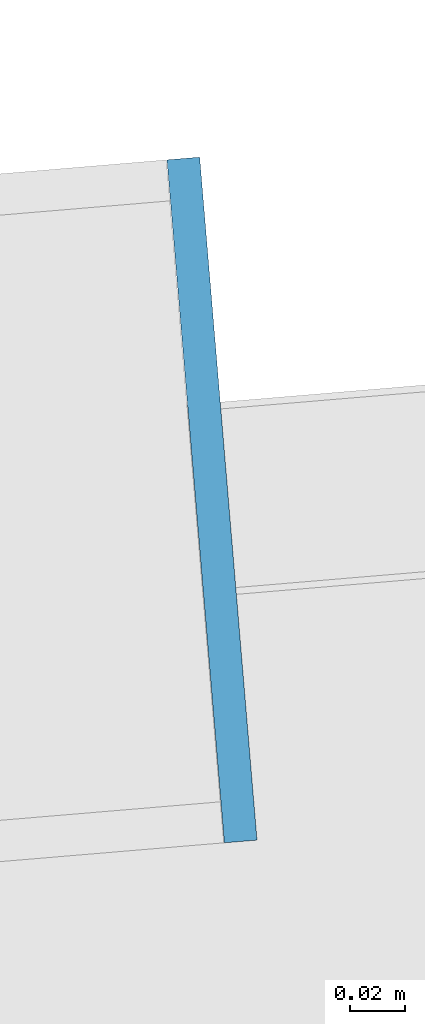
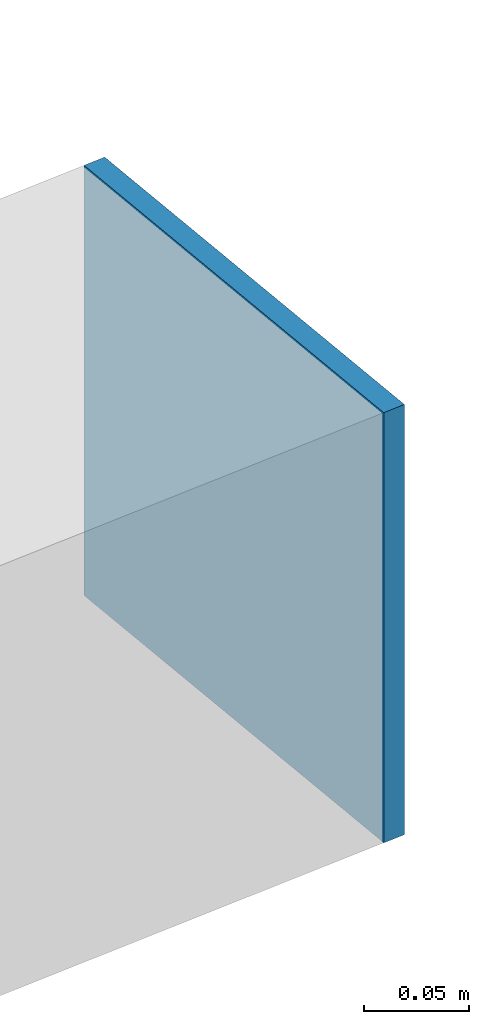
# One storey, part 34 of 39: 1 plate.
"""IFC4 building model written with IfcOpenShell, lengths in metres."""

import ifcopenshell
import ifcopenshell.guid

model = None  # the IFC model being written
_history = None  # IfcOwnerHistory: only IFC2X3 demands one
_inside = {}  # id of a spatial element -> (the spatial element, [elements in it])
_under = {}  # id of a project, library or spatial element -> (it, [spatial elements below it])
_declared = {}  # id of a project -> (the project, [libraries it declares])
_typed = {}  # id of a type object -> (the type object, [elements of that type])
_made_of = {}  # id of a material, layer set ... -> (it, [elements and type objects made of it])


def new_model(schema):
    """Start an empty IFC model of exactly this schema.

    Asked for "IFC4X3", IfcOpenShell would pick the latest addendum, in which some entities
    have other attributes; the version numbers below select the first issue.
    IFC2X3 requires an IfcOwnerHistory on every rooted entity: one is made here for all.
    """
    global model, _history
    if schema == "IFC4X3":
        model = ifcopenshell.file(schema_version=(4, 3, 0, 0))
    else:
        model = ifcopenshell.file(schema=schema)
    _inside.clear()
    _under.clear()
    _declared.clear()
    _typed.clear()
    _made_of.clear()
    _history = None
    if model.schema == "IFC2X3":
        org = make("IfcOrganization", Name="unknown")
        user = make(
            "IfcPersonAndOrganization",
            ThePerson=make("IfcPerson", FamilyName="unknown"),
            TheOrganization=org,
        )
        app = make(
            "IfcApplication",
            ApplicationDeveloper=org,
            Version="unknown",
            ApplicationFullName="unknown",
            ApplicationIdentifier="unknown",
        )
        _history = make(
            "IfcOwnerHistory",
            OwningUser=user,
            OwningApplication=app,
            ChangeAction="ADDED",
            CreationDate=0,
        )
    return model


def make(cls, **values):
    """One entity of the class cls with the attributes given. An attribute that is None is left unset."""
    return model.create_entity(
        cls, **{name: value for name, value in values.items() if value is not None}
    )


def rooted(cls, **values):
    """An entity with a GlobalId (a new one), such as an element, a storey or a relation."""
    return make(cls, GlobalId=ifcopenshell.guid.new(), OwnerHistory=_history, **values)


def si_unit(unit_type, name, prefix=None):
    """IfcSIUnit, for example si_unit("LENGTHUNIT", "METRE", prefix="MILLI")."""
    return make("IfcSIUnit", UnitType=unit_type, Prefix=prefix, Name=name)


def assignment(units):
    """IfcUnitAssignment: the units of a project."""
    return None if units is None else make("IfcUnitAssignment", Units=units)


def point(xyz):
    """IfcCartesianPoint."""
    return None if xyz is None else make("IfcCartesianPoint", Coordinates=xyz)


def direction(xyz):
    """IfcDirection."""
    return None if xyz is None else make("IfcDirection", DirectionRatios=xyz)


def frame(location, z_axis=None, x_axis=None):
    """IfcAxis2Placement3D, a coordinate frame: its origin and axes. An axis left out is left unset."""
    return make(
        "IfcAxis2Placement3D",
        Location=point(location),
        Axis=direction(z_axis),
        RefDirection=direction(x_axis),
    )


def frame_2d(location, x_axis=None):
    """IfcAxis2Placement2D, a coordinate frame in the plane: its origin and x axis."""
    return make(
        "IfcAxis2Placement2D", Location=point(location), RefDirection=direction(x_axis)
    )


def origin():
    """The frame at (0, 0, 0) with its axes left unset."""
    return frame((0.0, 0.0, 0.0))


def origin_2d():
    """The frame at (0, 0) in the plane with its x axis left unset."""
    return frame_2d((0.0, 0.0))


def place(relative_to, where):
    """IfcLocalPlacement: puts the frame where relative to a parent placement (None: the world)."""
    return make(
        "IfcLocalPlacement", PlacementRelTo=relative_to, RelativePlacement=where
    )


def context(
    kind, dimensions, precision=None, world=None, true_north=None, identifier=None
):
    """IfcGeometricRepresentationContext, for example the 3D "Model" context."""
    return make(
        "IfcGeometricRepresentationContext",
        ContextIdentifier=identifier,
        ContextType=kind,
        CoordinateSpaceDimension=dimensions,
        Precision=precision,
        WorldCoordinateSystem=world,
        TrueNorth=true_north,
    )


def subcontext(parent, identifier, kind, view, scale=None):
    """IfcGeometricRepresentationSubContext, for example "Body" below "Model"."""
    return make(
        "IfcGeometricRepresentationSubContext",
        ContextIdentifier=identifier,
        ContextType=kind,
        ParentContext=parent,
        TargetScale=scale,
        TargetView=view,
    )


def project(units=None, contexts=None):
    """IfcProject with its units and contexts."""
    return rooted(
        "IfcProject",
        Name="project",
        RepresentationContexts=contexts,
        UnitsInContext=assignment(units),
    )


def spatial(cls, under=None, at=None, **own):
    """A site, building, storey or space (cls), placed at a placement, below another one or the project."""
    s = rooted(cls, ObjectPlacement=at, **own)
    if under is not None:
        _under.setdefault(under.id(), (under, []))[1].append(s)
    return s


def profile(cls, at=None, kind="AREA", **sizes):
    """A parametric profile (cls). Its sizes go by their IFC names, for example OverallWidth=200.0."""
    return make(cls, ProfileType=kind, Position=at, **sizes)


def rectangle(**sizes):
    """IfcRectangleProfileDef."""
    return profile("IfcRectangleProfileDef", **sizes)


def extrude(swept, where, along, depth):
    """IfcExtrudedAreaSolid: the profile swept, set in the frame where, extruded along a direction by depth."""
    return make(
        "IfcExtrudedAreaSolid",
        SweptArea=swept,
        Position=where,
        ExtrudedDirection=direction(along),
        Depth=depth,
    )


def shape(context_of_items, identifier, shape_type, items):
    """IfcShapeRepresentation: the items that make up one representation, for example the "Body"."""
    return make(
        "IfcShapeRepresentation",
        ContextOfItems=context_of_items,
        RepresentationIdentifier=identifier,
        RepresentationType=shape_type,
        Items=items,
    )


def source(mapping_origin, context_of_items, identifier, shape_type, items):
    """IfcRepresentationMap: a shape defined once, which mapped items show again and again."""
    return make(
        "IfcRepresentationMap",
        MappingOrigin=mapping_origin,
        MappedRepresentation=shape(context_of_items, identifier, shape_type, items),
    )


def transform(
    local_origin,
    x_axis=None,
    y_axis=None,
    z_axis=None,
    scale=None,
    scale2=None,
    scale3=None,
    uniform=True,
):
    """IfcCartesianTransformationOperator3D, or its non-uniform kind. x_axis, y_axis, z_axis: its Axis1, 2, 3."""
    if uniform:
        return make(
            "IfcCartesianTransformationOperator3D",
            Axis1=direction(x_axis),
            Axis2=direction(y_axis),
            LocalOrigin=point(local_origin),
            Scale=scale,
            Axis3=direction(z_axis),
        )
    return make(
        "IfcCartesianTransformationOperator3DnonUniform",
        Axis1=direction(x_axis),
        Axis2=direction(y_axis),
        LocalOrigin=point(local_origin),
        Scale=scale,
        Axis3=direction(z_axis),
        Scale2=scale2,
        Scale3=scale3,
    )


def mapped(mapping_source, mapping_target):
    """IfcMappedItem: shows the shape of a source again, moved by a transform."""
    return make(
        "IfcMappedItem", MappingSource=mapping_source, MappingTarget=mapping_target
    )


def material(Name=None, Category=None):
    """IfcMaterial."""
    return make("IfcMaterial", Name=Name, Category=Category)


def layer(
    of_material, thickness, ventilated=None, Name=None, Category=None, Priority=None
):
    """IfcMaterialLayer: one layer of a wall or slab, of a material (None: an air gap)."""
    return make(
        "IfcMaterialLayer",
        Material=of_material,
        LayerThickness=thickness,
        IsVentilated=ventilated,
        Name=Name,
        Category=Category,
        Priority=Priority,
    )


def layer_set(layers, Name=None):
    """IfcMaterialLayerSet."""
    return make("IfcMaterialLayerSet", MaterialLayers=layers, LayerSetName=Name)


def made_of(thing, what):
    """Note that an element or type object is made of a material, layer set ...; save() writes the relation."""
    if what is not None:
        _made_of.setdefault(what.id(), (what, []))[1].append(thing)
    return thing


def type_object(cls, material=None, **own):
    """A type object (cls), such as IfcWallType, which elements share."""
    return made_of(rooted(cls, **own), material)


def element(
    cls,
    number,
    at=None,
    inside=None,
    cuts=None,
    type_object=None,
    material=None,
    context=None,
    identifier="Body",
    shape_type=None,
    held_by="IfcProductDefinitionShape",
    body=None,
    shapes=None,
    **own,
):
    """One element of the class cls, such as IfcWall. Its Tag is "e" and its number.

    at: its placement. inside: the storey or other place that contains it. cuts: it is an
    opening in that element (IfcRelVoidsElement). A single representation is given by context,
    identifier, shape_type and body (its items); several are given by shapes. held_by: the class
    of the entity that holds the representations. save() writes the other relations.
    """
    e = rooted(cls, Tag="e%d" % number, ObjectPlacement=at, **own)
    if body is not None:
        shapes = [shape(context, identifier, shape_type, body)]
    if shapes is not None:
        e.Representation = make(held_by, Representations=shapes)
    if inside is not None:
        _inside.setdefault(inside.id(), (inside, []))[1].append(e)
    if cuts is not None:
        rooted(
            "IfcRelVoidsElement", RelatingBuildingElement=cuts, RelatedOpeningElement=e
        )
    if type_object is not None:
        _typed.setdefault(type_object.id(), (type_object, []))[1].append(e)
    return made_of(e, material)


def aggregate(whole, parts):
    """IfcRelAggregates: a whole, such as a stair, and the parts it consists of."""
    return rooted("IfcRelAggregates", RelatingObject=whole, RelatedObjects=parts)


def save(model, path):
    """Write the relations noted so far, then the file.

    IfcRelAggregates (storeys below a building ...), IfcRelContainedInSpatialStructure (elements
    in a storey), IfcRelDefinesByType, IfcRelAssociatesMaterial and IfcRelDeclares: one each for
    every whole, place, type object, material and project.
    """
    for whole, parts in _under.values():
        aggregate(whole, parts)
    for where, things in _inside.values():
        rooted(
            "IfcRelContainedInSpatialStructure",
            RelatedElements=things,
            RelatingStructure=where,
        )
    for kind, things in _typed.values():
        rooted("IfcRelDefinesByType", RelatedObjects=things, RelatingType=kind)
    for what, things in _made_of.values():
        rooted("IfcRelAssociatesMaterial", RelatedObjects=things, RelatingMaterial=what)
    for by, libraries in _declared.values():
        rooted("IfcRelDeclares", RelatingContext=by, RelatedDefinitions=libraries)
    model.write(path)


model = new_model("IFC4")

# Units and contexts
model_context = context("Model", 3, precision=1e-05, world=origin(), true_north=direction((0.0, 1.0)))
body_context = subcontext(model_context, "Body", "Model", "MODEL_VIEW")
ifc_project = project(units=[si_unit("LENGTHUNIT", "METRE"), si_unit("AREAUNIT", "SQUARE_METRE"), si_unit("VOLUMEUNIT", "CUBIC_METRE"), si_unit("PLANEANGLEUNIT", "RADIAN"), si_unit("MASSUNIT", "GRAM", prefix="KILO")], contexts=[model_context])

# Site, building, storey
site_placement = place(None, origin())
site = spatial("IfcSite", under=ifc_project, at=site_placement, CompositionType="ELEMENT")
building_placement = place(site_placement, origin())
building = spatial("IfcBuilding", under=site, at=building_placement, Name="Taldren Reach Tower", CompositionType="ELEMENT")
storey_placement = place(building_placement, frame((0.0, 0.0, 175.699951171875)))
storey = spatial("IfcBuildingStorey", under=building, at=storey_placement, Name="L53", CompositionType="ELEMENT", Elevation=175.699951171875)

# Plate
ifc_material = material(Name="Steel Gr 350 (C350L0)", Category="steel")
ifc_layer = layer(ifc_material, 0.011962890625)
ifc_layer_set = layer_set([ifc_layer], Name="Steel Gr 350 (C350L0)")
plate_type = type_object("IfcPlateType", Name="PL-CAP-250", PredefinedType="SHEET", material=ifc_layer_set)
shared_shape = source(origin(), body_context, "Body", "SweptSolid", [
    extrude(rectangle(XDim=0.011962890625, YDim=0.25, at=origin_2d()), origin(), (0.0, 0.0, 1.0), 0.25),
])
plate_placement = place(storey_placement, frame((61.14697265625, 33.76220703125, 0.094970703125), z_axis=(0.0, 0.0, 1.0), x_axis=(0.99649285925, 0.083677843332, 0.0)))
element("IfcPlate", 1, at=plate_placement, inside=storey, type_object=plate_type, Name="Tie strut end cap plate B4-E3 L53", PredefinedType="SHEET", context=body_context, shape_type="MappedRepresentation", body=[
    mapped(shared_shape, transform((0.0, 0.0, 0.0), scale=1.0)),
])

save(model, "model.ifc")
